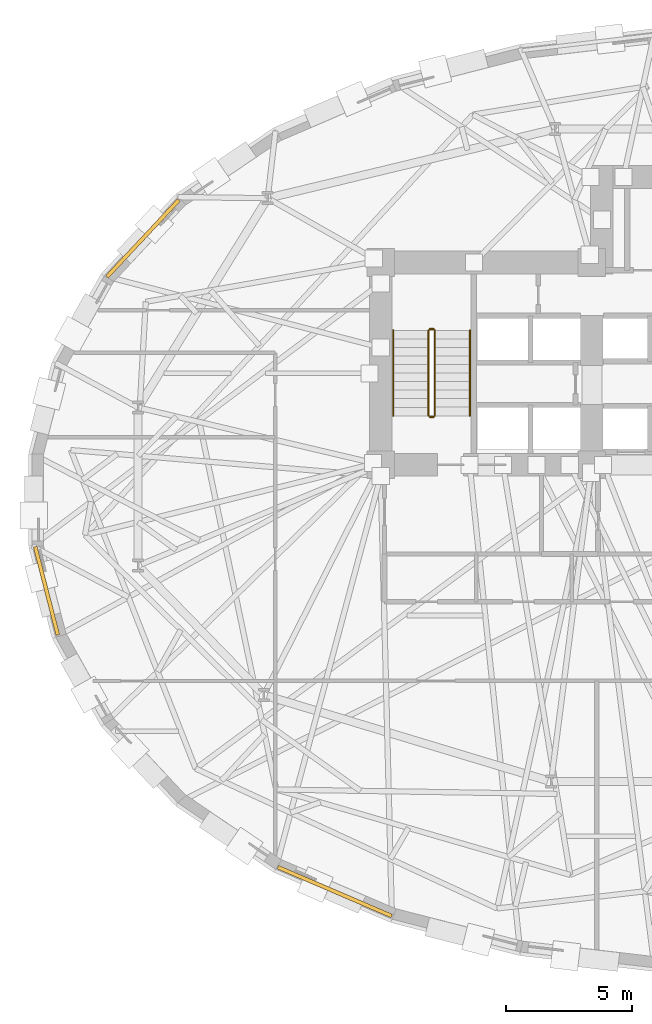
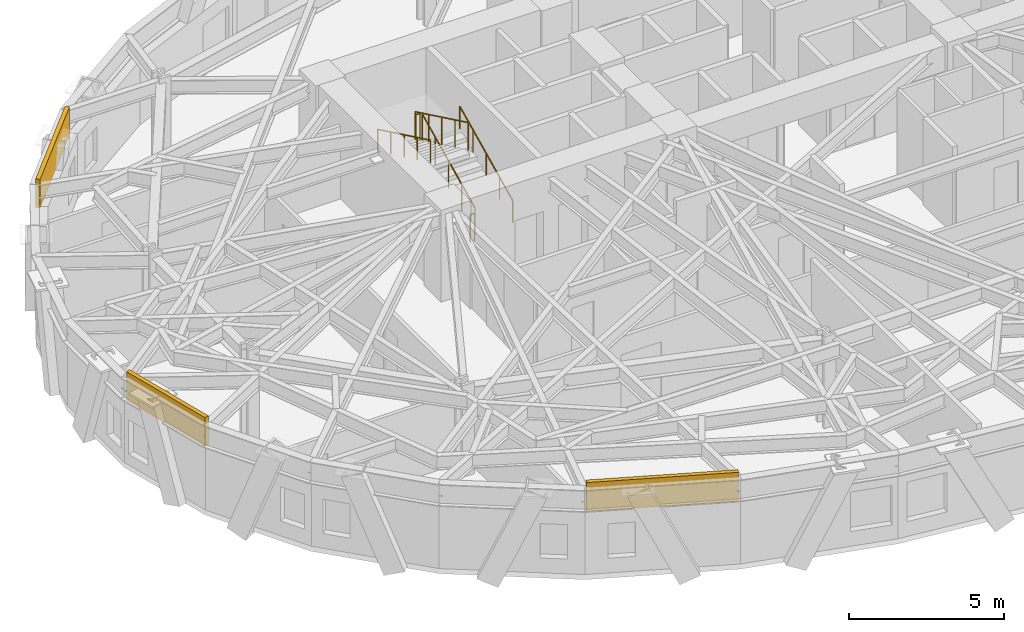
# One storey, part 11 of 14: 6 railings, 3 coverings.
"""IFC4 building model written with IfcOpenShell, lengths in metres."""

from ifc_helpers import new_model, si_unit, direction, frame, origin, origin_2d, place, context, subcontext, project, spatial, rectangle, circle, extrude, material, layer, layer_set, type_object, element, save


model = new_model("IFC4")

# Units and contexts
model_context = context("Model", 3, precision=1e-05, world=origin(), true_north=direction((0.0, 1.0)))
body_context = subcontext(model_context, "Body", "Model", "MODEL_VIEW")
ifc_project = project(units=[si_unit("LENGTHUNIT", "METRE"), si_unit("AREAUNIT", "SQUARE_METRE"), si_unit("VOLUMEUNIT", "CUBIC_METRE"), si_unit("PLANEANGLEUNIT", "RADIAN"), si_unit("MASSUNIT", "GRAM", prefix="KILO")], contexts=[model_context])

# Site, building, storey
site_placement = place(None, origin())
site = spatial("IfcSite", under=ifc_project, at=site_placement, CompositionType="ELEMENT")
building_placement = place(site_placement, origin())
building = spatial("IfcBuilding", under=site, at=building_placement, Name="Keldmark Tower", CompositionType="ELEMENT")
storey_placement = place(building_placement, frame((0.0, 0.0, 41.39990234375)))
storey = spatial("IfcBuildingStorey", under=building, at=storey_placement, Name="L10", CompositionType="ELEMENT", Elevation=41.39990234375)

# Coverings
ifc_material_1 = material(Name="Honed Kasota Buff Dolomitic Limestone", Category="masonry")
ifc_layer = layer(ifc_material_1, 0.074951171875)
ifc_layer_set = layer_set([ifc_layer], Name="Honed Kasota Buff Dolomitic Limestone")
covering_type = type_object("IfcCoveringType", Name="Kasota Buff Limestone Spandrel Cladding Band", PredefinedType="CLADDING", material=ifc_layer_set)
covering_1_placement = place(storey_placement, frame((-23.060302734375, 10.407470703125, 2.453125), z_axis=(0.0, 0.0, 1.0), x_axis=(-0.683006109341, -0.730412660489, 0.0)))
element("IfcCovering", 1, at=covering_1_placement, inside=storey, type_object=covering_type, Name="L10 Kasota Limestone Spandrel Band 13", PredefinedType="CLADDING", context=body_context, shape_type="SweptSolid", body=[
    extrude(rectangle(XDim=4.177978515625, YDim=0.14990234375, at=origin_2d()), origin(), (0.0, 0.0, 1.0), 1.126953125),
])
covering_2_placement = place(storey_placement, frame((-26.8955078125, -3.61669921875, 2.453125), z_axis=(0.0, 0.0, 1.0), x_axis=(0.248098167018, -0.96873489641, 0.0)))
element("IfcCovering", 2, at=covering_2_placement, inside=storey, type_object=covering_type, Name="L10 Kasota Limestone Spandrel Band 17", PredefinedType="CLADDING", context=body_context, shape_type="SweptSolid", body=[
    extrude(rectangle(XDim=3.618896484375, YDim=0.14990234375, at=origin_2d()), origin(), (0.0, 0.0, 1.0), 1.126953125),
])
covering_3_placement = place(storey_placement, frame((-15.426513671875, -15.5791015625, 2.453125), z_axis=(0.0, 0.0, 1.0), x_axis=(0.91888763684, -0.394519341558, 0.0)))
element("IfcCovering", 3, at=covering_3_placement, inside=storey, type_object=covering_type, Name="L10 Kasota Limestone Spandrel Band 21", PredefinedType="CLADDING", context=body_context, shape_type="SweptSolid", body=[
    extrude(rectangle(XDim=4.922119140625, YDim=0.14990234375, at=origin_2d()), origin(), (0.0, 0.0, 1.0), 1.126953125),
])

# Railings
ifc_material_2 = material(Name="Painted Steel ASTM A500 Grade B", Category="steel")
railing_type_1 = type_object("IfcRailingType", Name="Painted Steel Stair Well Guard 1100 mm", PredefinedType="GUARDRAIL", material=ifc_material_2)
railing_1_placement = place(storey_placement, frame((-11.449951171875, 3.35009765625, 0.163818359375)))
element("IfcRailing", 4, at=railing_1_placement, inside=storey, type_object=railing_type_1, Name="L10 ST1 stair guard 1", PredefinedType="GUARDRAIL", context=body_context, shape_type="SweptSolid", body=[
    extrude(circle(Radius=0.02392578125, at=origin_2d()), frame((0.0, 0.0, 1.076171875), z_axis=(0.0, 0.901080338394, 0.433652192153), x_axis=(-1.0, 0.0, 0.0)), (0.0, 0.0, 1.0), 3.773193359375),
    extrude(circle(Radius=0.02099609375, at=origin_2d()), origin(), (0.0, 0.0, 1.0), 1.052001953125),
    extrude(circle(Radius=0.02099609375, at=origin_2d()), frame((0.0, 0.85009765625, 0.4091796875)), (0.0, 0.0, 1.0), 1.052001953125),
    extrude(circle(Radius=0.02099609375, at=origin_2d()), frame((0.0, 1.699951171875, 0.818115234375)), (0.0, 0.0, 1.0), 1.052001953125),
    extrude(circle(Radius=0.02099609375, at=origin_2d()), frame((0.0, 2.5498046875, 1.22705078125)), (0.0, 0.0, 1.0), 1.052001953125),
    extrude(circle(Radius=0.02099609375, at=origin_2d()), frame((0.0, 3.39990234375, 1.63623046875)), (0.0, 0.0, 1.0), 1.052001953125),
])
railing_2_placement = place(storey_placement, frame((-11.5, 6.800048828125, 1.800048828125)))
element("IfcRailing", 5, at=railing_2_placement, inside=storey, type_object=railing_type_1, Name="L10 ST1 stair guard 2", PredefinedType="GUARDRAIL", context=body_context, shape_type="SweptSolid", body=[
    extrude(circle(Radius=0.02392578125, at=origin_2d()), frame((0.0, 0.0, 1.076171875), z_axis=(-1.0, 0.0, 0.0), x_axis=(0.0, -1.0, 0.0)), (0.0, 0.0, 1.0), 0.14990234375),
    extrude(circle(Radius=0.02099609375, at=origin_2d()), origin(), (0.0, 0.0, 1.0), 1.052001953125),
    extrude(circle(Radius=0.02099609375, at=origin_2d()), frame((-0.14990234375, 0.0, 0.0)), (0.0, 0.0, 1.0), 1.052001953125),
])
railing_3_placement = place(storey_placement, frame((-11.699951171875, 6.75, 1.963623046875)))
element("IfcRailing", 6, at=railing_3_placement, inside=storey, type_object=railing_type_1, Name="L10 ST1 stair guard 3", PredefinedType="GUARDRAIL", context=body_context, shape_type="SweptSolid", body=[
    extrude(circle(Radius=0.02392578125, at=origin_2d()), frame((0.0, 0.0, 1.076171875), z_axis=(0.0, -0.901055053782, 0.433704726806), x_axis=(1.0, 0.0, 0.0)), (0.0, 0.0, 1.0), 3.773193359375),
    extrude(circle(Radius=0.02099609375, at=origin_2d()), origin(), (0.0, 0.0, 1.0), 1.052001953125),
    extrude(circle(Radius=0.02099609375, at=origin_2d()), frame((0.0, -0.85009765625, 0.4091796875)), (0.0, 0.0, 1.0), 1.052001953125),
    extrude(circle(Radius=0.02099609375, at=origin_2d()), frame((0.0, -1.699951171875, 0.818359375)), (0.0, 0.0, 1.0), 1.052001953125),
    extrude(circle(Radius=0.02099609375, at=origin_2d()), frame((0.0, -2.5498046875, 1.227294921875)), (0.0, 0.0, 1.0), 1.052001953125),
    extrude(circle(Radius=0.02099609375, at=origin_2d()), frame((0.0, -3.39990234375, 1.636474609375)), (0.0, 0.0, 1.0), 1.052001953125),
])
railing_4_placement = place(storey_placement, frame((-11.5, 3.300048828125, 0.0)))
element("IfcRailing", 7, at=railing_4_placement, inside=storey, type_object=railing_type_1, Name="L10 ST1 stair guard 4", PredefinedType="GUARDRAIL", context=body_context, shape_type="SweptSolid", body=[
    extrude(circle(Radius=0.02392578125, at=origin_2d()), frame((0.0, 0.0, 1.076171875), z_axis=(-1.0, 0.0, 0.0), x_axis=(0.0, -1.0, 0.0)), (0.0, 0.0, 1.0), 0.14990234375),
    extrude(circle(Radius=0.02099609375, at=origin_2d()), origin(), (0.0, 0.0, 1.0), 1.052001953125),
    extrude(circle(Radius=0.02099609375, at=origin_2d()), frame((-0.14990234375, 0.0, 0.0)), (0.0, 0.0, 1.0), 1.052001953125),
])
ifc_material_3 = material(Name="Stainless Steel AISI 316L", Category="steel")
railing_type_2 = type_object("IfcRailingType", Name="Stainless Steel Stair Handrail 900 mm", PredefinedType="HANDRAIL", material=ifc_material_3)
railing_5_placement = place(storey_placement, frame((-10.050048828125, 3.35009765625, 0.163818359375)))
element("IfcRailing", 8, at=railing_5_placement, inside=storey, type_object=railing_type_2, Name="L10 ST1 stair handrail 1", PredefinedType="HANDRAIL", context=body_context, shape_type="SweptSolid", body=[
    extrude(circle(Radius=0.02392578125, at=origin_2d()), frame((0.0, 0.0, 0.8759765625), z_axis=(0.0, 0.901080338394, 0.433652192153), x_axis=(-1.0, 0.0, 0.0)), (0.0, 0.0, 1.0), 3.773193359375),
    extrude(circle(Radius=0.02099609375, at=origin_2d()), origin(), (0.0, 0.0, 1.0), 0.851806640625),
    extrude(circle(Radius=0.02099609375, at=origin_2d()), frame((0.0, 0.85009765625, 0.4091796875)), (0.0, 0.0, 1.0), 0.851806640625),
    extrude(circle(Radius=0.02099609375, at=origin_2d()), frame((0.0, 1.699951171875, 0.818115234375)), (0.0, 0.0, 1.0), 0.851806640625),
    extrude(circle(Radius=0.02099609375, at=origin_2d()), frame((0.0, 2.5498046875, 1.22705078125)), (0.0, 0.0, 1.0), 0.851806640625),
    extrude(circle(Radius=0.02099609375, at=origin_2d()), frame((0.0, 3.39990234375, 1.63623046875)), (0.0, 0.0, 1.0), 0.851806640625),
])
railing_6_placement = place(storey_placement, frame((-13.10009765625, 6.75, 1.963623046875)))
element("IfcRailing", 9, at=railing_6_placement, inside=storey, type_object=railing_type_2, Name="L10 ST1 stair handrail 2", PredefinedType="HANDRAIL", context=body_context, shape_type="SweptSolid", body=[
    extrude(circle(Radius=0.02392578125, at=origin_2d()), frame((0.0, 0.0, 0.8759765625), z_axis=(0.0, -0.901055053782, 0.433704726806), x_axis=(1.0, 0.0, 0.0)), (0.0, 0.0, 1.0), 3.773193359375),
    extrude(circle(Radius=0.02099609375, at=origin_2d()), origin(), (0.0, 0.0, 1.0), 0.851806640625),
    extrude(circle(Radius=0.02099609375, at=origin_2d()), frame((0.0, -0.85009765625, 0.4091796875)), (0.0, 0.0, 1.0), 0.851806640625),
    extrude(circle(Radius=0.02099609375, at=origin_2d()), frame((0.0, -1.699951171875, 0.818359375)), (0.0, 0.0, 1.0), 0.851806640625),
    extrude(circle(Radius=0.02099609375, at=origin_2d()), frame((0.0, -2.5498046875, 1.227294921875)), (0.0, 0.0, 1.0), 0.851806640625),
    extrude(circle(Radius=0.02099609375, at=origin_2d()), frame((0.0, -3.39990234375, 1.636474609375)), (0.0, 0.0, 1.0), 0.851806640625),
])

save(model, "model.ifc")
